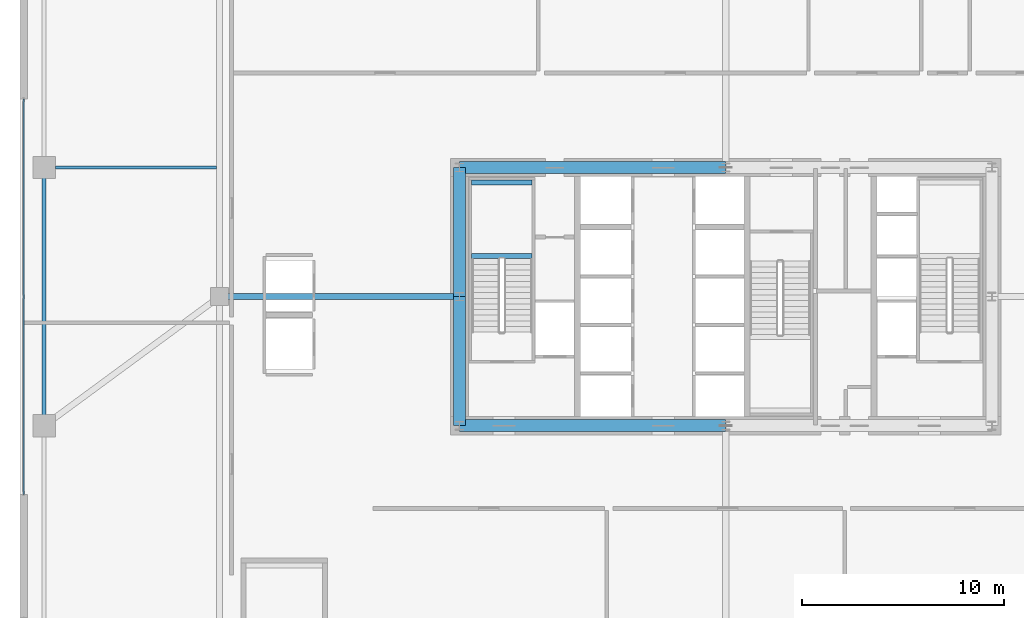
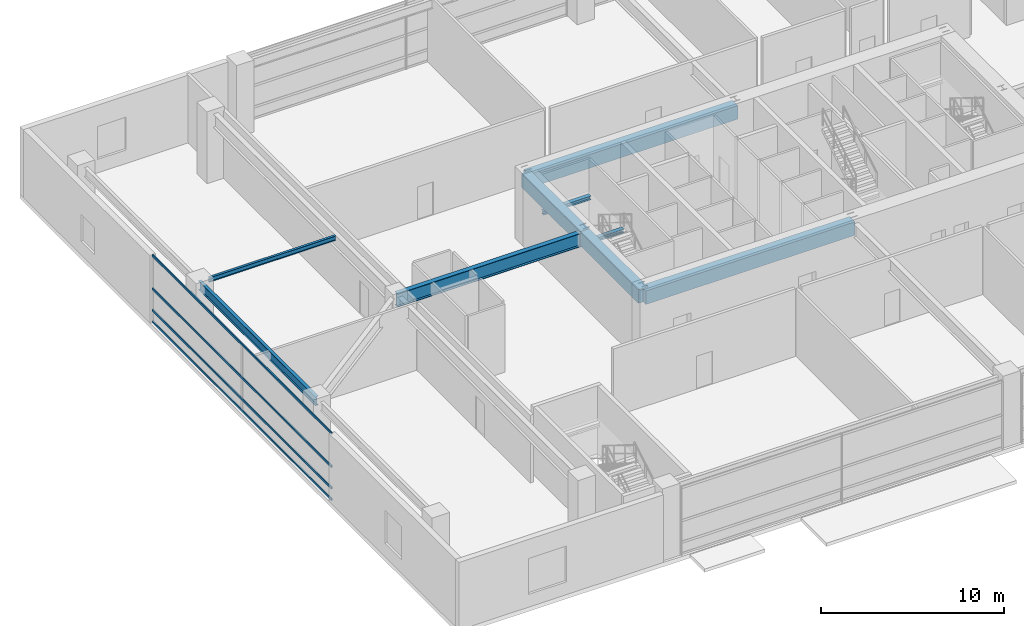
# One storey, part 10 of 37: 9 beams, 4 members, 1 element without a shape of its own.
"""IFC4 building model written with IfcOpenShell, lengths in metres."""

from ifc_helpers import new_model, si_unit, direction, frame, origin, origin_2d, place, context, subcontext, project, spatial, rectangle, hollow_rectangle, i_section, extrude, source, transform, mapped, material, layer, layer_set, material_profile, profile_set, type_object, element, aggregate, save


model = new_model("IFC4")

# Units and contexts
model_context = context("Model", 3, precision=1e-05, world=origin(), true_north=direction((0.0, 1.0)))
body_context = subcontext(model_context, "Body", "Model", "MODEL_VIEW")
ifc_project = project(units=[si_unit("LENGTHUNIT", "METRE"), si_unit("AREAUNIT", "SQUARE_METRE"), si_unit("VOLUMEUNIT", "CUBIC_METRE"), si_unit("PLANEANGLEUNIT", "RADIAN"), si_unit("MASSUNIT", "GRAM", prefix="KILO"), si_unit("THERMODYNAMICTEMPERATUREUNIT", "KELVIN"), si_unit("POWERUNIT", "WATT")], contexts=[model_context])

# Site, building, storey
site_placement = place(None, origin())
site = spatial("IfcSite", under=ifc_project, at=site_placement, CompositionType="ELEMENT")
building_placement = place(site_placement, origin())
building = spatial("IfcBuilding", under=site, at=building_placement, Name="Yuzanri Waterfront Tower", CompositionType="ELEMENT")
storey_placement = place(building_placement, frame((0.0, 0.0, 5.39990234375)))
storey = spatial("IfcBuildingStorey", under=building, at=storey_placement, Name="L02", CompositionType="ELEMENT", Elevation=5.39990234375)

# Beams
ifc_material_1 = material(Name="Concrete C60", Category="concrete")
ifc_material_profile_1 = material_profile(ifc_material_1, rectangle(XDim=0.60009765625, YDim=0.89990234375, at=origin_2d()), Name="RC 600x900")
ifc_profile_set_1 = profile_set([ifc_material_profile_1], Name="Concrete C60")
beam_type_1 = type_object("IfcBeamType", Name="Core Coupling Lintel Concrete C60 600x900", PredefinedType="LINTEL", material=ifc_profile_set_1)
shared_shape_1 = source(origin(), body_context, "Body", "SweptSolid", [
    extrude(rectangle(XDim=0.60009765625, YDim=0.89990234375, at=origin_2d()), origin(), (0.0, 0.0, 1.0), 13.199951171875),
])
for number, where, z_axis, x_axis, name in (
    (1, (23.800048828125, 19.39990234375, 4.070068359375), (1.0, 0.0, 0.0), (0.0, 1.0, 0.0), "L02 Core Tie Beam CS1"),
    (2, (23.800048828125, 32.199951171875, 4.070068359375), (1.0, 0.0, 0.0), (0.0, 1.0, 0.0), "L02 Core Tie Beam CN1"),
):
    element("IfcBeam", number, at=place(storey_placement, frame(where, z_axis=z_axis, x_axis=x_axis)), inside=storey, type_object=beam_type_1, Name=name, PredefinedType="LINTEL", context=body_context, shape_type="MappedRepresentation", body=[
        mapped(shared_shape_1, transform((0.0, 0.0, 0.0), scale=1.0)),
    ])
shared_shape_2 = source(origin(), body_context, "Body", "SweptSolid", [
    extrude(rectangle(XDim=0.60009765625, YDim=0.89990234375, at=origin_2d()), origin(), (0.0, 0.0, 1.0), 6.400146484375),
])
beam_1_placement = place(storey_placement, frame((23.800048828125, 19.39990234375, 4.070068359375), z_axis=(0.0, 1.0, 0.0), x_axis=(-1.0, 0.0, 0.0)))
element("IfcBeam", 3, at=beam_1_placement, inside=storey, type_object=beam_type_1, Name="L02 Core Tie Beam CW1", PredefinedType="LINTEL", context=body_context, shape_type="MappedRepresentation", body=[
    mapped(shared_shape_2, transform((0.0, 0.0, 0.0), scale=1.0)),
])
shared_shape_3 = source(origin(), body_context, "Body", "SweptSolid", [
    extrude(rectangle(XDim=0.60009765625, YDim=0.89990234375, at=origin_2d()), origin(), (0.0, 0.0, 1.0), 6.39990234375),
])
beam_2_placement = place(storey_placement, frame((23.800048828125, 25.800048828125, 4.070068359375), z_axis=(0.0, 1.0, 0.0), x_axis=(-1.0, 0.0, 0.0)))
element("IfcBeam", 4, at=beam_2_placement, inside=storey, type_object=beam_type_1, Name="L02 Core Tie Beam CW2", PredefinedType="LINTEL", context=body_context, shape_type="MappedRepresentation", body=[
    mapped(shared_shape_3, transform((0.0, 0.0, 0.0), scale=1.0)),
])
ifc_material_2 = material(Name="Steel Q355B", Category="steel")
ifc_material_profile_2 = material_profile(ifc_material_2, i_section(OverallWidth=0.199951171875, OverallDepth=0.60009765625, WebThickness=0.010986328125, FlangeThickness=0.01708984375, at=origin_2d()), Name="HN 600x200x11x17")
ifc_profile_set_2 = profile_set([ifc_material_profile_2], Name="Steel Q355B")
beam_type_2 = type_object("IfcBeamType", Name="Perimeter Spandrel Q355B HN 600x200", PredefinedType="SPANDREL", material=ifc_profile_set_2)
shared_shape_4 = source(origin(), body_context, "Body", "SweptSolid", [
    extrude(i_section(OverallWidth=0.199951171875, OverallDepth=0.60009765625, WebThickness=0.010986328125, FlangeThickness=0.01708984375, at=origin_2d()), origin(), (0.0, 0.0, 1.0), 12.800048828125),
])
beam_3_placement = place(storey_placement, frame((3.199951171875, 19.39990234375, 4.22021484375), z_axis=(0.0, 1.0, 0.0), x_axis=(-1.0, 0.0, 0.0)))
element("IfcBeam", 5, at=beam_3_placement, inside=storey, type_object=beam_type_2, Name="L02 West Podium Spandrel 2", PredefinedType="SPANDREL", context=body_context, shape_type="MappedRepresentation", body=[
    mapped(shared_shape_4, transform((0.0, 0.0, 0.0), scale=1.0)),
])
ifc_material_3 = material(Name="Steel Q355B", Category="steel")
ifc_material_profile_3 = material_profile(ifc_material_3, i_section(OverallWidth=0.300048828125, OverallDepth=0.89990234375, WebThickness=0.01611328125, FlangeThickness=0.028076171875, at=origin_2d()), Name="HN 900x300x16x28")
ifc_profile_set_3 = profile_set([ifc_material_profile_3], Name="Steel Q355B")
beam_type_3 = type_object("IfcBeamType", Name="Primary Podium Girder Q355B HN 900x300", PredefinedType="BEAM", material=ifc_profile_set_3)
shared_shape_5 = source(origin(), body_context, "Body", "SweptSolid", [
    extrude(i_section(OverallWidth=0.300048828125, OverallDepth=0.89990234375, WebThickness=0.01611328125, FlangeThickness=0.028076171875, at=origin_2d()), origin(), (0.0, 0.0, 1.0), 11.900146484375),
])
beam_4_placement = place(storey_placement, frame((11.89990234375, 25.800048828125, 4.070068359375), z_axis=(1.0, 0.0, 0.0), x_axis=(0.0, 1.0, 0.0)))
element("IfcBeam", 6, at=beam_4_placement, inside=storey, type_object=beam_type_3, Name="L02 Podium West Girder 2", PredefinedType="BEAM", context=body_context, shape_type="MappedRepresentation", body=[
    mapped(shared_shape_5, transform((0.0, 0.0, 0.0), scale=1.0)),
])
ifc_material_4 = material(Name="Steel Q355B", Category="steel")
ifc_material_profile_4 = material_profile(ifc_material_4, i_section(OverallWidth=0.14990234375, OverallDepth=0.300048828125, WebThickness=0.006591796875, FlangeThickness=0.009033203125, at=origin_2d()), Name="HN 300x150x6.5x9")
ifc_profile_set_4 = profile_set([ifc_material_profile_4], Name="Steel Q355B")
beam_type_4 = type_object("IfcBeamType", Name="Balcony Outlooker Joist Q355B HN 300x150", PredefinedType="JOIST", material=ifc_profile_set_4)
shared_shape_6 = source(origin(), body_context, "Body", "SweptSolid", [
    extrude(i_section(OverallWidth=0.14990234375, OverallDepth=0.300048828125, WebThickness=0.006591796875, FlangeThickness=0.009033203125, at=origin_2d()), origin(), (0.0, 0.0, 1.0), 8.0),
])
beam_5_placement = place(storey_placement, frame((3.75, 32.199951171875, 4.3701171875), z_axis=(1.0, 0.0, 0.0), x_axis=(0.0, 1.0, 0.0)))
element("IfcBeam", 7, at=beam_5_placement, inside=storey, type_object=beam_type_4, Name="L02 Podium West Secondary Joist", PredefinedType="JOIST", context=body_context, shape_type="MappedRepresentation", body=[
    mapped(shared_shape_6, transform((0.0, 0.0, 0.0), scale=1.0)),
])

# Curtain wall, members
ifc_material_5 = material(Name="Anodized Architectural Bronze", Category="metal")
ifc_layer = layer(ifc_material_5, 0.159912109375)
ifc_layer_set = layer_set([ifc_layer], Name="Anodized Architectural Bronze")
curtain_wall_type = type_object("IfcCurtainWallType", Name="Anodized Bronze Podium Waterfront Double-Height Unitized Curtain Wall 8400", PredefinedType="NOTDEFINED", material=ifc_layer_set)
curtain_wall_placement = place(storey_placement, origin())
curtain_wall = element("IfcCurtainWall", 8, at=curtain_wall_placement, inside=storey, type_object=curtain_wall_type, Name="L02 Curtain Wall CW-L02-W", PredefinedType="NOTDEFINED")
ifc_material_6 = material(Name="Anodized Architectural Bronze", Category="metal")
ifc_material_profile_5 = material_profile(ifc_material_6, hollow_rectangle(XDim=0.074951171875, YDim=0.14990234375, WallThickness=0.00390625, at=origin_2d()), Name="CWT 75x150")
ifc_profile_set_5 = profile_set([ifc_material_profile_5], Name="Anodized Architectural Bronze")
member_type = type_object("IfcMemberType", Name="Anodized Bronze Primary Curtain-Wall Transom 75x150", PredefinedType="USERDEFINED", material=ifc_profile_set_5)
shared_shape_7 = source(origin(), body_context, "Body", "SweptSolid", [
    extrude(hollow_rectangle(XDim=0.074951171875, YDim=0.14990234375, WallThickness=0.00390625, at=origin_2d()), origin(), (0.0, 0.0, 1.0), 19.60009765625),
])
member_1_placement = place(storey_placement, frame((2.179931640625, 16.0, 0.050048828125), z_axis=(0.0, 1.0, 0.0), x_axis=(-1.0, 0.0, 0.0)))
member_1 = element("IfcMember", 9, at=member_1_placement, type_object=member_type, Name="CW-L02-W Transom 1", ObjectType="TRANSOM", PredefinedType="USERDEFINED", context=body_context, shape_type="MappedRepresentation", body=[
    mapped(shared_shape_7, transform((0.0, 0.0, 0.0), scale=1.0)),
])
member_2_placement = place(storey_placement, frame((2.179931640625, 16.0, 0.820068359375), z_axis=(0.0, 1.0, 0.0), x_axis=(-1.0, 0.0, 0.0)))
member_2 = element("IfcMember", 10, at=member_2_placement, type_object=member_type, Name="CW-L02-W Transom 2", ObjectType="TRANSOM", PredefinedType="USERDEFINED", context=body_context, shape_type="MappedRepresentation", body=[
    mapped(shared_shape_7, transform((0.0, 0.0, 0.0), scale=1.0)),
])
member_3_placement = place(storey_placement, frame((2.179931640625, 16.0, 2.260009765625), z_axis=(0.0, 1.0, 0.0), x_axis=(-1.0, 0.0, 0.0)))
member_3 = element("IfcMember", 11, at=member_3_placement, type_object=member_type, Name="CW-L02-W Transom 3", ObjectType="TRANSOM", PredefinedType="USERDEFINED", context=body_context, shape_type="MappedRepresentation", body=[
    mapped(shared_shape_7, transform((0.0, 0.0, 0.0), scale=1.0)),
])
member_4_placement = place(storey_placement, frame((2.179931640625, 16.0, 4.47021484375), z_axis=(0.0, 1.0, 0.0), x_axis=(-1.0, 0.0, 0.0)))
member_4 = element("IfcMember", 12, at=member_4_placement, type_object=member_type, Name="CW-L02-W Transom 4", ObjectType="TRANSOM", PredefinedType="USERDEFINED", context=body_context, shape_type="MappedRepresentation", body=[
    mapped(shared_shape_7, transform((0.0, 0.0, 0.0), scale=1.0)),
])
aggregate(curtain_wall, [member_1, member_2, member_3, member_4])

# Beams
ifc_material_7 = material(Name="Steel Q355B", Category="steel")
ifc_material_profile_6 = material_profile(ifc_material_7, i_section(OverallWidth=0.25, OverallDepth=0.25, WebThickness=0.009033203125, FlangeThickness=0.013916015625, at=origin_2d()), Name="HW 250x250x9x14")
ifc_profile_set_6 = profile_set([ifc_material_profile_6], Name="Steel Q355B")
beam_type_5 = type_object("IfcBeamType", Name="Stair Landing Support Beam Q355B HW 250x250", PredefinedType="BEAM", material=ifc_profile_set_6)
shared_shape_8 = source(origin(), body_context, "Body", "SweptSolid", [
    extrude(i_section(OverallWidth=0.25, OverallDepth=0.25, WebThickness=0.009033203125, FlangeThickness=0.013916015625, at=origin_2d()), origin(), (0.0, 0.0, 1.0), 3.0),
])
for number, where, z_axis, x_axis, name in (
    (13, (24.39990234375, 27.81005859375, 2.0751953125), (1.0, 0.0, 0.0), (0.0, 1.0, 0.0), "L02 Stair Landing Support Beam ST-01-L02-L1-1"),
    (14, (24.39990234375, 31.449951171875, 2.0751953125), (1.0, 0.0, 0.0), (0.0, 1.0, 0.0), "L02 Stair Landing Support Beam ST-01-L02-L1-2"),
):
    element("IfcBeam", number, at=place(storey_placement, frame(where, z_axis=z_axis, x_axis=x_axis)), inside=storey, type_object=beam_type_5, Name=name, PredefinedType="BEAM", context=body_context, shape_type="MappedRepresentation", body=[
        mapped(shared_shape_8, transform((0.0, 0.0, 0.0), scale=1.0)),
    ])

save(model, "model.ifc")
